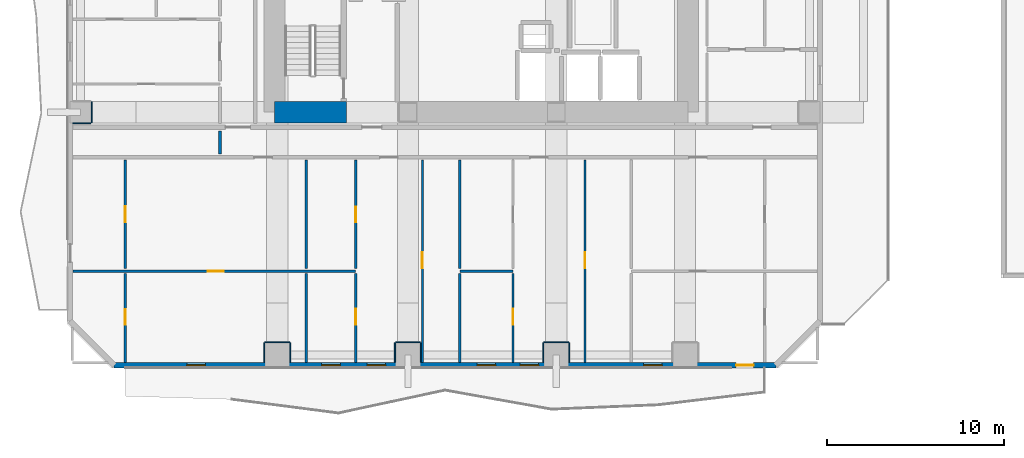
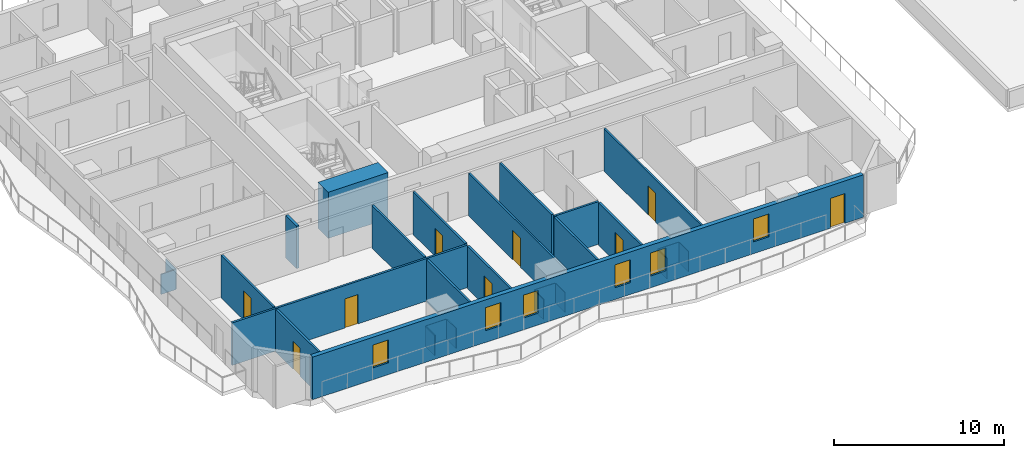
# One storey, part 3 of 13: 27 walls, 9 doors, 6 windows, 15 openings.
"""IFC4 building model written with IfcOpenShell, lengths in metres."""

import ifcopenshell
import ifcopenshell.guid

model = None  # the IFC model being written
_history = None  # IfcOwnerHistory: only IFC2X3 demands one
_inside = {}  # id of a spatial element -> (the spatial element, [elements in it])
_under = {}  # id of a project, library or spatial element -> (it, [spatial elements below it])
_declared = {}  # id of a project -> (the project, [libraries it declares])
_typed = {}  # id of a type object -> (the type object, [elements of that type])
_made_of = {}  # id of a material, layer set ... -> (it, [elements and type objects made of it])


def new_model(schema):
    """Start an empty IFC model of exactly this schema.

    Asked for "IFC4X3", IfcOpenShell would pick the latest addendum, in which some entities
    have other attributes; the version numbers below select the first issue.
    IFC2X3 requires an IfcOwnerHistory on every rooted entity: one is made here for all.
    """
    global model, _history
    if schema == "IFC4X3":
        model = ifcopenshell.file(schema_version=(4, 3, 0, 0))
    else:
        model = ifcopenshell.file(schema=schema)
    _inside.clear()
    _under.clear()
    _declared.clear()
    _typed.clear()
    _made_of.clear()
    _history = None
    if model.schema == "IFC2X3":
        org = make("IfcOrganization", Name="unknown")
        user = make(
            "IfcPersonAndOrganization",
            ThePerson=make("IfcPerson", FamilyName="unknown"),
            TheOrganization=org,
        )
        app = make(
            "IfcApplication",
            ApplicationDeveloper=org,
            Version="unknown",
            ApplicationFullName="unknown",
            ApplicationIdentifier="unknown",
        )
        _history = make(
            "IfcOwnerHistory",
            OwningUser=user,
            OwningApplication=app,
            ChangeAction="ADDED",
            CreationDate=0,
        )
    return model


def make(cls, **values):
    """One entity of the class cls with the attributes given. An attribute that is None is left unset."""
    return model.create_entity(
        cls, **{name: value for name, value in values.items() if value is not None}
    )


def rooted(cls, **values):
    """An entity with a GlobalId (a new one), such as an element, a storey or a relation."""
    return make(cls, GlobalId=ifcopenshell.guid.new(), OwnerHistory=_history, **values)


def si_unit(unit_type, name, prefix=None):
    """IfcSIUnit, for example si_unit("LENGTHUNIT", "METRE", prefix="MILLI")."""
    return make("IfcSIUnit", UnitType=unit_type, Prefix=prefix, Name=name)


def assignment(units):
    """IfcUnitAssignment: the units of a project."""
    return None if units is None else make("IfcUnitAssignment", Units=units)


def point(xyz):
    """IfcCartesianPoint."""
    return None if xyz is None else make("IfcCartesianPoint", Coordinates=xyz)


def direction(xyz):
    """IfcDirection."""
    return None if xyz is None else make("IfcDirection", DirectionRatios=xyz)


def frame(location, z_axis=None, x_axis=None):
    """IfcAxis2Placement3D, a coordinate frame: its origin and axes. An axis left out is left unset."""
    return make(
        "IfcAxis2Placement3D",
        Location=point(location),
        Axis=direction(z_axis),
        RefDirection=direction(x_axis),
    )


def frame_2d(location, x_axis=None):
    """IfcAxis2Placement2D, a coordinate frame in the plane: its origin and x axis."""
    return make(
        "IfcAxis2Placement2D", Location=point(location), RefDirection=direction(x_axis)
    )


def origin():
    """The frame at (0, 0, 0) with its axes left unset."""
    return frame((0.0, 0.0, 0.0))


def place(relative_to, where):
    """IfcLocalPlacement: puts the frame where relative to a parent placement (None: the world)."""
    return make(
        "IfcLocalPlacement", PlacementRelTo=relative_to, RelativePlacement=where
    )


def context(
    kind, dimensions, precision=None, world=None, true_north=None, identifier=None
):
    """IfcGeometricRepresentationContext, for example the 3D "Model" context."""
    return make(
        "IfcGeometricRepresentationContext",
        ContextIdentifier=identifier,
        ContextType=kind,
        CoordinateSpaceDimension=dimensions,
        Precision=precision,
        WorldCoordinateSystem=world,
        TrueNorth=true_north,
    )


def subcontext(parent, identifier, kind, view, scale=None):
    """IfcGeometricRepresentationSubContext, for example "Body" below "Model"."""
    return make(
        "IfcGeometricRepresentationSubContext",
        ContextIdentifier=identifier,
        ContextType=kind,
        ParentContext=parent,
        TargetScale=scale,
        TargetView=view,
    )


def project(units=None, contexts=None):
    """IfcProject with its units and contexts."""
    return rooted(
        "IfcProject",
        Name="project",
        RepresentationContexts=contexts,
        UnitsInContext=assignment(units),
    )


def spatial(cls, under=None, at=None, **own):
    """A site, building, storey or space (cls), placed at a placement, below another one or the project."""
    s = rooted(cls, ObjectPlacement=at, **own)
    if under is not None:
        _under.setdefault(under.id(), (under, []))[1].append(s)
    return s


def profile(cls, at=None, kind="AREA", **sizes):
    """A parametric profile (cls). Its sizes go by their IFC names, for example OverallWidth=200.0."""
    return make(cls, ProfileType=kind, Position=at, **sizes)


def rectangle(**sizes):
    """IfcRectangleProfileDef."""
    return profile("IfcRectangleProfileDef", **sizes)


def extrude(swept, where, along, depth):
    """IfcExtrudedAreaSolid: the profile swept, set in the frame where, extruded along a direction by depth."""
    return make(
        "IfcExtrudedAreaSolid",
        SweptArea=swept,
        Position=where,
        ExtrudedDirection=direction(along),
        Depth=depth,
    )


def shape(context_of_items, identifier, shape_type, items):
    """IfcShapeRepresentation: the items that make up one representation, for example the "Body"."""
    return make(
        "IfcShapeRepresentation",
        ContextOfItems=context_of_items,
        RepresentationIdentifier=identifier,
        RepresentationType=shape_type,
        Items=items,
    )


def material(Name=None, Category=None):
    """IfcMaterial."""
    return make("IfcMaterial", Name=Name, Category=Category)


def layer(
    of_material, thickness, ventilated=None, Name=None, Category=None, Priority=None
):
    """IfcMaterialLayer: one layer of a wall or slab, of a material (None: an air gap)."""
    return make(
        "IfcMaterialLayer",
        Material=of_material,
        LayerThickness=thickness,
        IsVentilated=ventilated,
        Name=Name,
        Category=Category,
        Priority=Priority,
    )


def layer_set(layers, Name=None):
    """IfcMaterialLayerSet."""
    return make("IfcMaterialLayerSet", MaterialLayers=layers, LayerSetName=Name)


def made_of(thing, what):
    """Note that an element or type object is made of a material, layer set ...; save() writes the relation."""
    if what is not None:
        _made_of.setdefault(what.id(), (what, []))[1].append(thing)
    return thing


def type_object(cls, material=None, **own):
    """A type object (cls), such as IfcWallType, which elements share."""
    return made_of(rooted(cls, **own), material)


def element(
    cls,
    number,
    at=None,
    inside=None,
    cuts=None,
    type_object=None,
    material=None,
    context=None,
    identifier="Body",
    shape_type=None,
    held_by="IfcProductDefinitionShape",
    body=None,
    shapes=None,
    **own,
):
    """One element of the class cls, such as IfcWall. Its Tag is "e" and its number.

    at: its placement. inside: the storey or other place that contains it. cuts: it is an
    opening in that element (IfcRelVoidsElement). A single representation is given by context,
    identifier, shape_type and body (its items); several are given by shapes. held_by: the class
    of the entity that holds the representations. save() writes the other relations.
    """
    e = rooted(cls, Tag="e%d" % number, ObjectPlacement=at, **own)
    if body is not None:
        shapes = [shape(context, identifier, shape_type, body)]
    if shapes is not None:
        e.Representation = make(held_by, Representations=shapes)
    if inside is not None:
        _inside.setdefault(inside.id(), (inside, []))[1].append(e)
    if cuts is not None:
        rooted(
            "IfcRelVoidsElement", RelatingBuildingElement=cuts, RelatedOpeningElement=e
        )
    if type_object is not None:
        _typed.setdefault(type_object.id(), (type_object, []))[1].append(e)
    return made_of(e, material)


def fill(opening, filler):
    """IfcRelFillsElement: the door or window that sits in an opening."""
    return rooted(
        "IfcRelFillsElement",
        RelatingOpeningElement=opening,
        RelatedBuildingElement=filler,
    )


def aggregate(whole, parts):
    """IfcRelAggregates: a whole, such as a stair, and the parts it consists of."""
    return rooted("IfcRelAggregates", RelatingObject=whole, RelatedObjects=parts)


def save(model, path):
    """Write the relations noted so far, then the file.

    IfcRelAggregates (storeys below a building ...), IfcRelContainedInSpatialStructure (elements
    in a storey), IfcRelDefinesByType, IfcRelAssociatesMaterial and IfcRelDeclares: one each for
    every whole, place, type object, material and project.
    """
    for whole, parts in _under.values():
        aggregate(whole, parts)
    for where, things in _inside.values():
        rooted(
            "IfcRelContainedInSpatialStructure",
            RelatedElements=things,
            RelatingStructure=where,
        )
    for kind, things in _typed.values():
        rooted("IfcRelDefinesByType", RelatedObjects=things, RelatingType=kind)
    for what, things in _made_of.values():
        rooted("IfcRelAssociatesMaterial", RelatedObjects=things, RelatingMaterial=what)
    for by, libraries in _declared.values():
        rooted("IfcRelDeclares", RelatingContext=by, RelatedDefinitions=libraries)
    model.write(path)


model = new_model("IFC4")

# Units and contexts
model_context = context("Model", 3, precision=1e-05, world=origin(), true_north=direction((0.0, 1.0)))
body_context = subcontext(model_context, "Body", "Model", "MODEL_VIEW")
ifc_project = project(units=[si_unit("LENGTHUNIT", "METRE"), si_unit("AREAUNIT", "SQUARE_METRE"), si_unit("VOLUMEUNIT", "CUBIC_METRE"), si_unit("PLANEANGLEUNIT", "RADIAN"), si_unit("MASSUNIT", "GRAM", prefix="KILO")], contexts=[model_context])

# Site, building, storey
site_placement = place(None, origin())
site = spatial("IfcSite", under=ifc_project, at=site_placement, CompositionType="ELEMENT")
building_placement = place(site_placement, origin())
building = spatial("IfcBuilding", under=site, at=building_placement, Name="Solanera Arch Residences", CompositionType="ELEMENT")
storey_placement = place(building_placement, frame((0.0, 0.0, 22.0)))
storey = spatial("IfcBuildingStorey", under=building, at=storey_placement, Name="L05", CompositionType="ELEMENT", Elevation=22.0)

# Walls
ifc_material_1 = material(Name="Fire-Rated Gypsum Stud Partition", Category="gypsum")
ifc_layer_1 = layer(ifc_material_1, 0.06005859375)
ifc_layer_set_1 = layer_set([ifc_layer_1], Name="Fire-Rated Gypsum Stud Partition")
wall_type_1 = type_object("IfcWallType", Name="Column Acoustic Furring Wall 60", PredefinedType="PARTITIONING", material=ifc_layer_set_1)
wall_1_placement = place(storey_placement, frame((12.699951171875, 8.98193359375, 0.0), z_axis=(0.0, 0.0, 1.0), x_axis=(1.0, 0.0, 0.0)))
element("IfcWall", 1, at=wall_1_placement, inside=storey, type_object=wall_type_1, Name="L05 Column Furring 9N", PredefinedType="PARTITIONING", context=body_context, shape_type="SweptSolid", body=[
    extrude(rectangle(XDim=1.400146484375, YDim=0.06005859375, at=frame_2d((0.7001953125, 0.0))), origin(), (0.0, 0.0, 1.0), 1.449951171875),
])
for number, where, z_axis, x_axis, name in (
    (2, (12.66796875, 7.830078125, 0.0), (0.0, 0.0, 1.0), (0.0, 1.0, 0.0), "L05 Column Furring 9W"),
    (3, (14.132080078125, 7.830078125, 0.0), (0.0, 0.0, 1.0), (0.0, 1.0, 0.0), "L05 Column Furring 9E"),
):
    element("IfcWall", number, at=place(storey_placement, frame(where, z_axis=z_axis, x_axis=x_axis)), inside=storey, type_object=wall_type_1, Name=name, PredefinedType="PARTITIONING", context=body_context, shape_type="SweptSolid", body=[
        extrude(rectangle(XDim=1.119873046875, YDim=0.06005859375, at=frame_2d((0.56005859375, 0.0))), origin(), (0.0, 0.0, 1.0), 1.449951171875),
    ])
wall_2_placement = place(storey_placement, frame((20.10009765625, 8.98193359375, 0.0), z_axis=(0.0, 0.0, 1.0), x_axis=(1.0, 0.0, 0.0)))
element("IfcWall", 4, at=wall_2_placement, inside=storey, type_object=wall_type_1, Name="L05 Column Furring 11N", PredefinedType="PARTITIONING", context=body_context, shape_type="SweptSolid", body=[
    extrude(rectangle(XDim=1.39990234375, YDim=0.06005859375, at=frame_2d((0.699951171875, 0.0))), origin(), (0.0, 0.0, 1.0), 1.449951171875),
])
for number, where, z_axis, x_axis, name in (
    (5, (20.068115234375, 7.830078125, 0.0), (0.0, 0.0, 1.0), (0.0, 1.0, 0.0), "L05 Column Furring 11W"),
    (6, (21.531982421875, 7.830078125, 0.0), (0.0, 0.0, 1.0), (0.0, 1.0, 0.0), "L05 Column Furring 11E"),
):
    element("IfcWall", number, at=place(storey_placement, frame(where, z_axis=z_axis, x_axis=x_axis)), inside=storey, type_object=wall_type_1, Name=name, PredefinedType="PARTITIONING", context=body_context, shape_type="SweptSolid", body=[
        extrude(rectangle(XDim=1.119873046875, YDim=0.06005859375, at=frame_2d((0.56005859375, 0.0))), origin(), (0.0, 0.0, 1.0), 1.449951171875),
    ])
wall_3_placement = place(storey_placement, frame((28.5, 8.98193359375, 0.0), z_axis=(0.0, 0.0, 1.0), x_axis=(1.0, 0.0, 0.0)))
element("IfcWall", 7, at=wall_3_placement, inside=storey, type_object=wall_type_1, Name="L05 Column Furring 13N", PredefinedType="PARTITIONING", context=body_context, shape_type="SweptSolid", body=[
    extrude(rectangle(XDim=1.39990234375, YDim=0.06005859375, at=frame_2d((0.699951171875, 0.0))), origin(), (0.0, 0.0, 1.0), 1.449951171875),
])
for number, where, z_axis, x_axis, name in (
    (8, (28.468017578125, 7.830078125, 0.0), (0.0, 0.0, 1.0), (0.0, 1.0, 0.0), "L05 Column Furring 13W"),
    (9, (29.931884765625, 7.830078125, 0.0), (0.0, 0.0, 1.0), (0.0, 1.0, 0.0), "L05 Column Furring 13E"),
):
    element("IfcWall", number, at=place(storey_placement, frame(where, z_axis=z_axis, x_axis=x_axis)), inside=storey, type_object=wall_type_1, Name=name, PredefinedType="PARTITIONING", context=body_context, shape_type="SweptSolid", body=[
        extrude(rectangle(XDim=1.119873046875, YDim=0.06005859375, at=frame_2d((0.56005859375, 0.0))), origin(), (0.0, 0.0, 1.0), 1.449951171875),
    ])
wall_4_placement = place(storey_placement, frame((1.830078125, 21.367919921875, 0.0), z_axis=(0.0, 0.0, 1.0), x_axis=(1.0, 0.0, 0.0)))
element("IfcWall", 10, at=wall_4_placement, inside=storey, type_object=wall_type_1, Name="L05 Column Furring 17S", PredefinedType="PARTITIONING", context=body_context, shape_type="SweptSolid", body=[
    extrude(rectangle(XDim=1.02001953125, YDim=0.06005859375, at=frame_2d((0.510009765625, 0.0))), origin(), (0.0, 0.0, 1.0), 1.449951171875),
])
wall_5_placement = place(storey_placement, frame((2.882080078125, 21.39990234375, 0.0), z_axis=(0.0, 0.0, 1.0), x_axis=(0.0, 1.0, 0.0)))
element("IfcWall", 11, at=wall_5_placement, inside=storey, type_object=wall_type_1, Name="L05 Column Furring 17E", PredefinedType="PARTITIONING", context=body_context, shape_type="SweptSolid", body=[
    extrude(rectangle(XDim=1.2001953125, YDim=0.06005859375, at=frame_2d((0.60009765625, 0.0))), origin(), (0.0, 0.0, 1.0), 1.449951171875),
])
ifc_material_2 = material(Name="Concrete C55/67 (f'c = 60 MPa)", Category="concrete")
ifc_layer_2 = layer(ifc_material_2, 1.199951171875)
ifc_layer_set_2 = layer_set([ifc_layer_2], Name="Concrete C55/67 (f'c = 60 MPa)")
wall_type_2 = type_object("IfcWallType", Name="Core Shear Wall CW-1200", PredefinedType="SHEAR", material=ifc_layer_set_2)
wall_6_placement = place(storey_placement, frame((13.239990234375, 22.0, 0.0), z_axis=(0.0, 0.0, 1.0), x_axis=(1.0, 0.0, 0.0)))
element("IfcWall", 12, at=wall_6_placement, inside=storey, type_object=wall_type_2, Name="L05 South-West Core Shear Wall", PredefinedType="SHEAR", context=body_context, shape_type="SweptSolid", body=[
    extrude(rectangle(XDim=4.080078125, YDim=1.199951171875, at=frame_2d((2.0400390625, 0.0))), origin(), (0.0, 0.0, 1.0), 3.320068359375),
])
ifc_material_3 = material(Name="Autoclaved Aerated Concrete Blockwork", Category="masonry")
ifc_layer_3 = layer(ifc_material_3, 0.179931640625)
ifc_layer_set_3 = layer_set([ifc_layer_3], Name="Autoclaved Aerated Concrete Blockwork")
wall_type_3 = type_object("IfcWallType", Name="Corridor Fire Partition 180", PredefinedType="PARTITIONING", material=ifc_layer_set_3)
wall_7_placement = place(storey_placement, frame((10.14990234375, 19.637939453125, 0.0), z_axis=(0.0, 0.0, 1.0), x_axis=(0.0, 1.0, 0.0)))
element("IfcWall", 13, at=wall_7_placement, inside=storey, type_object=wall_type_3, Name="L05 Interior Partition V8 1", PredefinedType="PARTITIONING", context=body_context, shape_type="SweptSolid", body=[
    extrude(rectangle(XDim=1.2939453125, YDim=0.179931640625, at=frame_2d((0.64697265625, 0.0))), origin(), (0.0, 0.0, 1.0), 3.06005859375),
])

# Wall, openings, door, windows
ifc_material_4 = material(Name="Precast Concrete C35/45", Category="concrete")
ifc_layer_4 = layer(ifc_material_4, 0.300048828125)
ifc_layer_set_4 = layer_set([ifc_layer_4], Name="Precast Concrete C35/45")
wall_type_4 = type_object("IfcWallType", Name="Exterior Wall Precast Masonry-Frame 300", PredefinedType="STANDARD", material=ifc_layer_set_4)
wall_8_placement = place(storey_placement, frame((41.635009765625, 7.6650390625, 0.0), z_axis=(0.0, 0.0, 1.0), x_axis=(-1.0, 0.0, 0.0)))
wall_8 = element("IfcWall", 14, at=wall_8_placement, inside=storey, type_object=wall_type_4, Name="L05 Tower Exterior Precast Masonry-Frame Wall S", PredefinedType="STANDARD", context=body_context, shape_type="SweptSolid", body=[
    extrude(rectangle(XDim=37.469970703125, YDim=0.300048828125, at=frame_2d((18.73486328125, 0.0))), origin(), (0.0, 0.0, 1.0), 3.06005859375),
])
opening_1_placement = place(wall_8_placement, frame((1.2509765625, 0.0, 0.0)))
opening_1 = element("IfcOpeningElement", 15, at=opening_1_placement, cuts=wall_8, Name="Opening DB-01", PredefinedType="OPENING", context=body_context, shape_type="SweptSolid", body=[
    extrude(rectangle(XDim=1.0, YDim=2.14990234375, at=frame_2d((0.5, 1.074951171875))), frame((0.0, 0.159912109375, 0.0), z_axis=(0.0, -1.0, 0.0), x_axis=(1.0, 0.0, 0.0)), (0.0, 0.0, 1.0), 0.32),
])
opening_2_placement = place(wall_8_placement, frame((32.31005859375, 0.0, 0.85009765625)))
opening_2 = element("IfcOpeningElement", 16, at=opening_2_placement, cuts=wall_8, Name="Opening W-07", PredefinedType="OPENING", context=body_context, shape_type="SweptSolid", body=[
    extrude(rectangle(XDim=1.050048828125, YDim=1.64990234375, at=frame_2d((0.52490234375, 0.824951171875))), frame((0.0, 0.159912109375, 0.0), z_axis=(0.0, -1.0, 0.0), x_axis=(1.0, 0.0, 0.0)), (0.0, 0.0, 1.0), 0.32),
])
opening_3_placement = place(wall_8_placement, frame((22.091064453125, 0.0, 0.85009765625)))
opening_3 = element("IfcOpeningElement", 17, at=opening_3_placement, cuts=wall_8, Name="Opening W-07", PredefinedType="OPENING", context=body_context, shape_type="SweptSolid", body=[
    extrude(rectangle(XDim=1.050048828125, YDim=1.64990234375, at=frame_2d((0.52490234375, 0.824951171875))), frame((0.0, 0.159912109375, 0.0), z_axis=(0.0, -1.0, 0.0), x_axis=(1.0, 0.0, 0.0)), (0.0, 0.0, 1.0), 0.32),
])
opening_4_placement = place(wall_8_placement, frame((24.666015625, 0.0, 0.85009765625)))
opening_4 = element("IfcOpeningElement", 18, at=opening_4_placement, cuts=wall_8, Name="Opening W-07", PredefinedType="OPENING", context=body_context, shape_type="SweptSolid", body=[
    extrude(rectangle(XDim=1.050048828125, YDim=1.64990234375, at=frame_2d((0.52490234375, 0.824951171875))), frame((0.0, 0.159912109375, 0.0), z_axis=(0.0, -1.0, 0.0), x_axis=(1.0, 0.0, 0.0)), (0.0, 0.0, 1.0), 0.32),
])
opening_5_placement = place(wall_8_placement, frame((13.43408203125, 0.0, 0.85009765625)))
opening_5 = element("IfcOpeningElement", 19, at=opening_5_placement, cuts=wall_8, Name="Opening W-07", PredefinedType="OPENING", context=body_context, shape_type="SweptSolid", body=[
    extrude(rectangle(XDim=1.050048828125, YDim=1.64990234375, at=frame_2d((0.52490234375, 0.824951171875))), frame((0.0, 0.159912109375, 0.0), z_axis=(0.0, -1.0, 0.0), x_axis=(1.0, 0.0, 0.0)), (0.0, 0.0, 1.0), 0.32),
])
opening_6_placement = place(wall_8_placement, frame((15.863037109375, 0.0, 0.85009765625)))
opening_6 = element("IfcOpeningElement", 20, at=opening_6_placement, cuts=wall_8, Name="Opening W-07", PredefinedType="OPENING", context=body_context, shape_type="SweptSolid", body=[
    extrude(rectangle(XDim=1.050048828125, YDim=1.64990234375, at=frame_2d((0.52490234375, 0.824951171875))), frame((0.0, 0.159912109375, 0.0), z_axis=(0.0, -1.0, 0.0), x_axis=(1.0, 0.0, 0.0)), (0.0, 0.0, 1.0), 0.32),
])
opening_7_placement = place(wall_8_placement, frame((6.43408203125, 0.0, 0.85009765625)))
opening_7 = element("IfcOpeningElement", 21, at=opening_7_placement, cuts=wall_8, Name="Opening W-07", PredefinedType="OPENING", context=body_context, shape_type="SweptSolid", body=[
    extrude(rectangle(XDim=1.050048828125, YDim=1.64990234375, at=frame_2d((0.52490234375, 0.824951171875))), frame((0.0, 0.159912109375, 0.0), z_axis=(0.0, -1.0, 0.0), x_axis=(1.0, 0.0, 0.0)), (0.0, 0.0, 1.0), 0.32),
])
ifc_material_5 = material(Name="Anodised Aluminium Alloy 6063-T6", Category="aluminium")
door_type_1 = type_object("IfcDoorType", Name="Glazed Balcony Swing Door DB-01", OperationType="NOTDEFINED", PredefinedType="DOOR", material=ifc_material_5)
door_1_placement = place(opening_1_placement, origin())
door_1 = element("IfcDoor", 22, at=door_1_placement, inside=storey, type_object=door_type_1, Name="DR-L05-OUT-03", OperationType="SINGLE_SWING_LEFT", OverallHeight=2.14990234375, OverallWidth=1.0, PredefinedType="DOOR", context=body_context, shape_type="SweptSolid", body=[
    extrude(rectangle(XDim=1.0, YDim=2.14990234375, at=frame_2d((0.5, 1.074951171875))), frame((0.0, 0.02490234375, 0.0), z_axis=(0.0, -1.0, 0.0), x_axis=(1.0, 0.0, 0.0)), (0.0, 0.0, 1.0), 0.050048828125),
])
fill(opening_1, door_1)
ifc_material_6 = material(Name="Double Glazed Low-E Laminated Glass", Category="glass")
window_type = type_object("IfcWindowType", Name="Punched Window W-07", PartitioningType="SINGLE_PANEL", PredefinedType="WINDOW", material=ifc_material_6)
window_1_placement = place(opening_2_placement, origin())
window_1 = element("IfcWindow", 23, at=window_1_placement, inside=storey, type_object=window_type, Name="L05 0501-LIV Punched Window", OverallHeight=1.64990234375, OverallWidth=1.050048828125, PartitioningType="SINGLE_PANEL", PredefinedType="WINDOW", context=body_context, shape_type="SweptSolid", body=[
    extrude(rectangle(XDim=1.050048828125, YDim=1.64990234375, at=frame_2d((0.52490234375, 0.824951171875))), frame((0.0, 0.030029296875, 0.0), z_axis=(0.0, -1.0, 0.0), x_axis=(1.0, 0.0, 0.0)), (0.0, 0.0, 1.0), 0.06005859375),
])
fill(opening_2, window_1)
window_2_placement = place(opening_3_placement, origin())
window_2 = element("IfcWindow", 24, at=window_2_placement, inside=storey, type_object=window_type, Name="L05 0502-LIV Punched Window", OverallHeight=1.64990234375, OverallWidth=1.050048828125, PartitioningType="SINGLE_PANEL", PredefinedType="WINDOW", context=body_context, shape_type="SweptSolid", body=[
    extrude(rectangle(XDim=1.050048828125, YDim=1.64990234375, at=frame_2d((0.52490234375, 0.824951171875))), frame((0.0, 0.030029296875, 0.0), z_axis=(0.0, -1.0, 0.0), x_axis=(1.0, 0.0, 0.0)), (0.0, 0.0, 1.0), 0.06005859375),
])
fill(opening_3, window_2)
window_3_placement = place(opening_4_placement, origin())
window_3 = element("IfcWindow", 25, at=window_3_placement, inside=storey, type_object=window_type, Name="L05 0502-BR1 Punched Window", OverallHeight=1.64990234375, OverallWidth=1.050048828125, PartitioningType="SINGLE_PANEL", PredefinedType="WINDOW", context=body_context, shape_type="SweptSolid", body=[
    extrude(rectangle(XDim=1.050048828125, YDim=1.64990234375, at=frame_2d((0.52490234375, 0.824951171875))), frame((0.0, 0.030029296875, 0.0), z_axis=(0.0, -1.0, 0.0), x_axis=(1.0, 0.0, 0.0)), (0.0, 0.0, 1.0), 0.06005859375),
])
fill(opening_4, window_3)
window_4_placement = place(opening_5_placement, origin())
window_4 = element("IfcWindow", 26, at=window_4_placement, inside=storey, type_object=window_type, Name="L05 0503-LIV Punched Window", OverallHeight=1.64990234375, OverallWidth=1.050048828125, PartitioningType="SINGLE_PANEL", PredefinedType="WINDOW", context=body_context, shape_type="SweptSolid", body=[
    extrude(rectangle(XDim=1.050048828125, YDim=1.64990234375, at=frame_2d((0.52490234375, 0.824951171875))), frame((0.0, 0.030029296875, 0.0), z_axis=(0.0, -1.0, 0.0), x_axis=(1.0, 0.0, 0.0)), (0.0, 0.0, 1.0), 0.06005859375),
])
fill(opening_5, window_4)
window_5_placement = place(opening_6_placement, origin())
window_5 = element("IfcWindow", 27, at=window_5_placement, inside=storey, type_object=window_type, Name="L05 0503-BR1 Punched Window", OverallHeight=1.64990234375, OverallWidth=1.050048828125, PartitioningType="SINGLE_PANEL", PredefinedType="WINDOW", context=body_context, shape_type="SweptSolid", body=[
    extrude(rectangle(XDim=1.050048828125, YDim=1.64990234375, at=frame_2d((0.52490234375, 0.824951171875))), frame((0.0, 0.030029296875, 0.0), z_axis=(0.0, -1.0, 0.0), x_axis=(1.0, 0.0, 0.0)), (0.0, 0.0, 1.0), 0.06005859375),
])
fill(opening_6, window_5)
window_6_placement = place(opening_7_placement, origin())
window_6 = element("IfcWindow", 28, at=window_6_placement, inside=storey, type_object=window_type, Name="L05 0504-LIV Punched Window", OverallHeight=1.64990234375, OverallWidth=1.050048828125, PartitioningType="SINGLE_PANEL", PredefinedType="WINDOW", context=body_context, shape_type="SweptSolid", body=[
    extrude(rectangle(XDim=1.050048828125, YDim=1.64990234375, at=frame_2d((0.52490234375, 0.824951171875))), frame((0.0, 0.030029296875, 0.0), z_axis=(0.0, -1.0, 0.0), x_axis=(1.0, 0.0, 0.0)), (0.0, 0.0, 1.0), 0.06005859375),
])
fill(opening_7, window_6)

# Wall, opening, door
ifc_material_7 = material(Name="Fire-Rated Gypsum Stud Partition", Category="gypsum")
ifc_layer_5 = layer(ifc_material_7, 0.1201171875)
ifc_layer_set_5 = layer_set([ifc_layer_5], Name="Fire-Rated Gypsum Stud Partition")
wall_type_5 = type_object("IfcWallType", Name="Unit Drywall Partition 120", PredefinedType="PARTITIONING", material=ifc_layer_set_5)
wall_9_placement = place(storey_placement, frame((21.6201171875, 7.826904296875, 0.0), z_axis=(0.0, 0.0, 1.0), x_axis=(0.0, 1.0, 0.0)))
wall_9 = element("IfcWall", 29, at=wall_9_placement, inside=storey, type_object=wall_type_5, Name="L05 Interior Partition V28", PredefinedType="PARTITIONING", context=body_context, shape_type="SweptSolid", body=[
    extrude(rectangle(XDim=11.465087890625, YDim=0.1201171875, at=frame_2d((5.732421875, 0.0))), origin(), (0.0, 0.0, 1.0), 3.06005859375),
])
opening_8_placement = place(wall_9_placement, frame((5.347900390625, 0.0, 0.0)))
opening_8 = element("IfcOpeningElement", 30, at=opening_8_placement, cuts=wall_9, Name="Opening DI-02", PredefinedType="OPENING", context=body_context, shape_type="SweptSolid", body=[
    extrude(rectangle(XDim=0.89990234375, YDim=2.10009765625, at=frame_2d((0.449951171875, 1.050048828125))), frame((0.0, 0.070068359375, 0.0), z_axis=(0.0, -1.0, 0.0), x_axis=(1.0, 0.0, 0.0)), (0.0, 0.0, 1.0), 0.1401),
])
ifc_material_8 = material(Name="Fire-Rated Architectural Hardwood", Category="wood")
door_type_2 = type_object("IfcDoorType", Name="Suite Room Swing Door DI-02", OperationType="NOTDEFINED", PredefinedType="DOOR", material=ifc_material_8)
door_2_placement = place(opening_8_placement, origin())
door_2 = element("IfcDoor", 31, at=door_2_placement, inside=storey, type_object=door_type_2, Name="DR-L05-IN-022", OperationType="SINGLE_SWING_LEFT", OverallHeight=2.10009765625, OverallWidth=0.89990234375, PredefinedType="DOOR", context=body_context, shape_type="SweptSolid", body=[
    extrude(rectangle(XDim=0.89990234375, YDim=2.10009765625, at=frame_2d((0.449951171875, 1.050048828125))), frame((0.0, 0.02490234375, 0.0), z_axis=(0.0, -1.0, 0.0), x_axis=(1.0, 0.0, 0.0)), (0.0, 0.0, 1.0), 0.050048828125),
])
fill(opening_8, door_2)

wall_10_placement = place(storey_placement, frame((30.830078125, 7.826904296875, 0.0), z_axis=(0.0, 0.0, 1.0), x_axis=(0.0, 1.0, 0.0)))
wall_10 = element("IfcWall", 32, at=wall_10_placement, inside=storey, type_object=wall_type_5, Name="L05 Interior Partition V29", PredefinedType="PARTITIONING", context=body_context, shape_type="SweptSolid", body=[
    extrude(rectangle(XDim=11.465087890625, YDim=0.1201171875, at=frame_2d((5.732421875, 0.0))), origin(), (0.0, 0.0, 1.0), 3.06005859375),
])
opening_9_placement = place(wall_10_placement, frame((5.347900390625, 0.0, 0.0)))
opening_9 = element("IfcOpeningElement", 33, at=opening_9_placement, cuts=wall_10, Name="Opening DI-02", PredefinedType="OPENING", context=body_context, shape_type="SweptSolid", body=[
    extrude(rectangle(XDim=0.89990234375, YDim=2.10009765625, at=frame_2d((0.449951171875, 1.050048828125))), frame((0.0, 0.070068359375, 0.0), z_axis=(0.0, -1.0, 0.0), x_axis=(1.0, 0.0, 0.0)), (0.0, 0.0, 1.0), 0.1401),
])
door_3_placement = place(opening_9_placement, origin())
door_3 = element("IfcDoor", 34, at=door_3_placement, inside=storey, type_object=door_type_2, Name="DR-L05-IN-026", OperationType="SINGLE_SWING_LEFT", OverallHeight=2.10009765625, OverallWidth=0.89990234375, PredefinedType="DOOR", context=body_context, shape_type="SweptSolid", body=[
    extrude(rectangle(XDim=0.89990234375, YDim=2.10009765625, at=frame_2d((0.449951171875, 1.050048828125))), frame((0.0, 0.02490234375, 0.0), z_axis=(0.0, -1.0, 0.0), x_axis=(1.0, 0.0, 0.0)), (0.0, 0.0, 1.0), 0.050048828125),
])
fill(opening_9, door_3)

ifc_material_9 = material(Name="Autoclaved Aerated Concrete Blockwork", Category="masonry")
ifc_layer_6 = layer(ifc_material_9, 0.139892578125)
ifc_layer_set_6 = layer_set([ifc_layer_6], Name="Autoclaved Aerated Concrete Blockwork")
wall_type_6 = type_object("IfcWallType", Name="Wet-Room Partition 140", PredefinedType="PARTITIONING", material=ifc_layer_set_6)
wall_11_placement = place(storey_placement, frame((1.826904296875, 13.0, 0.0), z_axis=(0.0, 0.0, 1.0), x_axis=(1.0, 0.0, 0.0)))
wall_11 = element("IfcWall", 35, at=wall_11_placement, inside=storey, type_object=wall_type_6, Name="L05 Interior Partition H15", PredefinedType="PARTITIONING", context=body_context, shape_type="SweptSolid", body=[
    extrude(rectangle(XDim=16.010986328125, YDim=0.139892578125, at=frame_2d((8.00537109375, 0.0))), origin(), (0.0, 0.0, 1.0), 3.06005859375),
])
opening_10_placement = place(wall_11_placement, frame((7.64794921875, 0.0, 0.0)))
opening_10 = element("IfcOpeningElement", 36, at=opening_10_placement, cuts=wall_11, Name="Opening DI-02", PredefinedType="OPENING", context=body_context, shape_type="SweptSolid", body=[
    extrude(rectangle(XDim=0.89990234375, YDim=2.10009765625, at=frame_2d((0.449951171875, 1.050048828125))), frame((0.0, 0.079833984375, 0.0), z_axis=(0.0, -1.0, 0.0), x_axis=(1.0, 0.0, 0.0)), (0.0, 0.0, 1.0), 0.1599),
])
door_4_placement = place(opening_10_placement, origin())
door_4 = element("IfcDoor", 37, at=door_4_placement, inside=storey, type_object=door_type_2, Name="DR-L05-IN-016", OperationType="SINGLE_SWING_LEFT", OverallHeight=2.10009765625, OverallWidth=0.89990234375, PredefinedType="DOOR", context=body_context, shape_type="SweptSolid", body=[
    extrude(rectangle(XDim=0.89990234375, YDim=2.10009765625, at=frame_2d((0.449951171875, 1.050048828125))), frame((0.0, 0.02490234375, 0.0), z_axis=(0.0, -1.0, 0.0), x_axis=(1.0, 0.0, 0.0)), (0.0, 0.0, 1.0), 0.050048828125),
])
fill(opening_10, door_4)

# Wall
wall_12_placement = place(storey_placement, frame((23.741943359375, 13.0, 0.0), z_axis=(0.0, 0.0, 1.0), x_axis=(1.0, 0.0, 0.0)))
element("IfcWall", 38, at=wall_12_placement, inside=storey, type_object=wall_type_6, Name="L05 Interior Partition H16", PredefinedType="PARTITIONING", context=body_context, shape_type="SweptSolid", body=[
    extrude(rectangle(XDim=3.010009765625, YDim=0.139892578125, at=frame_2d((1.5048828125, 0.0))), origin(), (0.0, 0.0, 1.0), 3.06005859375),
])

# Wall, opening, door
wall_13_placement = place(storey_placement, frame((4.800048828125, 7.826904296875, 0.0), z_axis=(0.0, 0.0, 1.0), x_axis=(0.0, 1.0, 0.0)))
wall_13 = element("IfcWall", 39, at=wall_13_placement, inside=storey, type_object=wall_type_6, Name="L05 Interior Partition V14 1", PredefinedType="PARTITIONING", context=body_context, shape_type="SweptSolid", body=[
    extrude(rectangle(XDim=5.025146484375, YDim=0.139892578125, at=frame_2d((2.5126953125, 0.0))), origin(), (0.0, 0.0, 1.0), 3.06005859375),
])
opening_11_placement = place(wall_13_placement, frame((2.14306640625, 0.0, 0.0)))
opening_11 = element("IfcOpeningElement", 40, at=opening_11_placement, cuts=wall_13, Name="Opening DI-05", PredefinedType="OPENING", context=body_context, shape_type="SweptSolid", body=[
    extrude(rectangle(XDim=0.860107421875, YDim=2.02001953125, at=frame_2d((0.43017578125, 1.010009765625))), frame((0.0, 0.079833984375, 0.0), z_axis=(0.0, -1.0, 0.0), x_axis=(1.0, 0.0, 0.0)), (0.0, 0.0, 1.0), 0.1599),
])
ifc_material_10 = material(Name="Fire-Rated Architectural Hardwood", Category="wood")
door_type_3 = type_object("IfcDoorType", Name="Bathroom Swing Door DI-05", OperationType="NOTDEFINED", PredefinedType="DOOR", material=ifc_material_10)
door_5_placement = place(opening_11_placement, origin())
door_5 = element("IfcDoor", 41, at=door_5_placement, inside=storey, type_object=door_type_3, Name="DR-L05-IN-018", OperationType="SINGLE_SWING_LEFT", OverallHeight=2.02001953125, OverallWidth=0.860107421875, PredefinedType="DOOR", context=body_context, shape_type="SweptSolid", body=[
    extrude(rectangle(XDim=0.860107421875, YDim=2.02001953125, at=frame_2d((0.43017578125, 1.010009765625))), frame((0.0, 0.02490234375, 0.0), z_axis=(0.0, -1.0, 0.0), x_axis=(1.0, 0.0, 0.0)), (0.0, 0.0, 1.0), 0.050048828125),
])
fill(opening_11, door_5)

wall_14_placement = place(storey_placement, frame((4.800048828125, 13.14794921875, 0.0), z_axis=(0.0, 0.0, 1.0), x_axis=(0.0, 1.0, 0.0)))
wall_14 = element("IfcWall", 42, at=wall_14_placement, inside=storey, type_object=wall_type_6, Name="L05 Interior Partition V14 2", PredefinedType="PARTITIONING", context=body_context, shape_type="SweptSolid", body=[
    extrude(rectangle(XDim=6.134033203125, YDim=0.139892578125, at=frame_2d((3.06689453125, 0.0))), origin(), (0.0, 0.0, 1.0), 3.06005859375),
])
opening_12_placement = place(wall_14_placement, frame((2.626953125, 0.0, 0.0)))
opening_12 = element("IfcOpeningElement", 43, at=opening_12_placement, cuts=wall_14, Name="Opening DI-02", PredefinedType="OPENING", context=body_context, shape_type="SweptSolid", body=[
    extrude(rectangle(XDim=0.89990234375, YDim=2.10009765625, at=frame_2d((0.449951171875, 1.050048828125))), frame((0.0, 0.079833984375, 0.0), z_axis=(0.0, -1.0, 0.0), x_axis=(1.0, 0.0, 0.0)), (0.0, 0.0, 1.0), 0.1599),
])
door_6_placement = place(opening_12_placement, origin())
door_6 = element("IfcDoor", 44, at=door_6_placement, inside=storey, type_object=door_type_2, Name="DR-L05-IN-017", OperationType="SINGLE_SWING_RIGHT", OverallHeight=2.10009765625, OverallWidth=0.89990234375, PredefinedType="DOOR", context=body_context, shape_type="SweptSolid", body=[
    extrude(rectangle(XDim=0.89990234375, YDim=2.10009765625, at=frame_2d((0.449951171875, 1.050048828125))), frame((0.0, 0.02490234375, 0.0), z_axis=(0.0, -1.0, 0.0), x_axis=(1.0, 0.0, 0.0)), (0.0, 0.0, 1.0), 0.050048828125),
])
fill(opening_12, door_6)

# Walls
wall_15_placement = place(storey_placement, frame((15.050048828125, 7.826904296875, 0.0), z_axis=(0.0, 0.0, 1.0), x_axis=(0.0, 1.0, 0.0)))
element("IfcWall", 45, at=wall_15_placement, inside=storey, type_object=wall_type_6, Name="L05 Interior Partition V18 1", PredefinedType="PARTITIONING", context=body_context, shape_type="SweptSolid", body=[
    extrude(rectangle(XDim=5.025146484375, YDim=0.139892578125, at=frame_2d((2.5126953125, 0.0))), origin(), (0.0, 0.0, 1.0), 3.06005859375),
])
wall_16_placement = place(storey_placement, frame((15.050048828125, 13.14794921875, 0.0), z_axis=(0.0, 0.0, 1.0), x_axis=(0.0, 1.0, 0.0)))
element("IfcWall", 46, at=wall_16_placement, inside=storey, type_object=wall_type_6, Name="L05 Interior Partition V18 2", PredefinedType="PARTITIONING", context=body_context, shape_type="SweptSolid", body=[
    extrude(rectangle(XDim=6.134033203125, YDim=0.139892578125, at=frame_2d((3.06689453125, 0.0))), origin(), (0.0, 0.0, 1.0), 3.06005859375),
])

# Wall, opening, door
wall_17_placement = place(storey_placement, frame((17.837890625, 7.826904296875, 0.0), z_axis=(0.0, 0.0, 1.0), x_axis=(0.0, 1.0, 0.0)))
wall_17 = element("IfcWall", 47, at=wall_17_placement, inside=storey, type_object=wall_type_6, Name="L05 Interior Partition V19 1", PredefinedType="PARTITIONING", context=body_context, shape_type="SweptSolid", body=[
    extrude(rectangle(XDim=5.025146484375, YDim=0.139892578125, at=frame_2d((2.5126953125, 0.0))), origin(), (0.0, 0.0, 1.0), 3.06005859375),
])
opening_13_placement = place(wall_17_placement, frame((2.135986328125, 0.0, 0.0)))
opening_13 = element("IfcOpeningElement", 48, at=opening_13_placement, cuts=wall_17, Name="Opening DI-03", PredefinedType="OPENING", context=body_context, shape_type="SweptSolid", body=[
    extrude(rectangle(XDim=0.89990234375, YDim=2.10009765625, at=frame_2d((0.449951171875, 1.050048828125))), frame((0.0, 0.079833984375, 0.0), z_axis=(0.0, -1.0, 0.0), x_axis=(1.0, 0.0, 0.0)), (0.0, 0.0, 1.0), 0.1599),
])
ifc_material_11 = material(Name="Fire-Rated Architectural Hardwood", Category="wood")
door_type_4 = type_object("IfcDoorType", Name="Bedroom Swing Door DI-03", OperationType="NOTDEFINED", PredefinedType="DOOR", material=ifc_material_11)
door_7_placement = place(opening_13_placement, origin())
door_7 = element("IfcDoor", 49, at=door_7_placement, inside=storey, type_object=door_type_4, Name="DR-L05-IN-021", OperationType="SINGLE_SWING_RIGHT", OverallHeight=2.10009765625, OverallWidth=0.89990234375, PredefinedType="DOOR", context=body_context, shape_type="SweptSolid", body=[
    extrude(rectangle(XDim=0.89990234375, YDim=2.10009765625, at=frame_2d((0.449951171875, 1.050048828125))), frame((0.0, 0.02490234375, 0.0), z_axis=(0.0, -1.0, 0.0), x_axis=(1.0, 0.0, 0.0)), (0.0, 0.0, 1.0), 0.050048828125),
])
fill(opening_13, door_7)

wall_18_placement = place(storey_placement, frame((17.837890625, 13.14794921875, 0.0), z_axis=(0.0, 0.0, 1.0), x_axis=(0.0, 1.0, 0.0)))
wall_18 = element("IfcWall", 50, at=wall_18_placement, inside=storey, type_object=wall_type_6, Name="L05 Interior Partition V19 2", PredefinedType="PARTITIONING", context=body_context, shape_type="SweptSolid", body=[
    extrude(rectangle(XDim=6.134033203125, YDim=0.139892578125, at=frame_2d((3.06689453125, 0.0))), origin(), (0.0, 0.0, 1.0), 3.06005859375),
])
opening_14_placement = place(wall_18_placement, frame((2.634033203125, 0.0, 0.0)))
opening_14 = element("IfcOpeningElement", 51, at=opening_14_placement, cuts=wall_18, Name="Opening DI-05", PredefinedType="OPENING", context=body_context, shape_type="SweptSolid", body=[
    extrude(rectangle(XDim=0.860107421875, YDim=2.02001953125, at=frame_2d((0.43017578125, 1.010009765625))), frame((0.0, 0.079833984375, 0.0), z_axis=(0.0, -1.0, 0.0), x_axis=(1.0, 0.0, 0.0)), (0.0, 0.0, 1.0), 0.1599),
])
door_8_placement = place(opening_14_placement, origin())
door_8 = element("IfcDoor", 52, at=door_8_placement, inside=storey, type_object=door_type_3, Name="DR-L05-IN-020", OperationType="SINGLE_SWING_LEFT", OverallHeight=2.02001953125, OverallWidth=0.860107421875, PredefinedType="DOOR", context=body_context, shape_type="SweptSolid", body=[
    extrude(rectangle(XDim=0.860107421875, YDim=2.02001953125, at=frame_2d((0.43017578125, 1.010009765625))), frame((0.0, 0.02490234375, 0.0), z_axis=(0.0, -1.0, 0.0), x_axis=(1.0, 0.0, 0.0)), (0.0, 0.0, 1.0), 0.050048828125),
])
fill(opening_14, door_8)

# Walls
wall_19_placement = place(storey_placement, frame((23.741943359375, 7.826904296875, 0.0), z_axis=(0.0, 0.0, 1.0), x_axis=(0.0, 1.0, 0.0)))
element("IfcWall", 53, at=wall_19_placement, inside=storey, type_object=wall_type_6, Name="L05 Interior Partition V20 1", PredefinedType="PARTITIONING", context=body_context, shape_type="SweptSolid", body=[
    extrude(rectangle(XDim=5.025146484375, YDim=0.139892578125, at=frame_2d((2.5126953125, 0.0))), origin(), (0.0, 0.0, 1.0), 3.06005859375),
])
wall_20_placement = place(storey_placement, frame((23.741943359375, 13.14794921875, 0.0), z_axis=(0.0, 0.0, 1.0), x_axis=(0.0, 1.0, 0.0)))
element("IfcWall", 54, at=wall_20_placement, inside=storey, type_object=wall_type_6, Name="L05 Interior Partition V20 2", PredefinedType="PARTITIONING", context=body_context, shape_type="SweptSolid", body=[
    extrude(rectangle(XDim=6.134033203125, YDim=0.139892578125, at=frame_2d((3.06689453125, 0.0))), origin(), (0.0, 0.0, 1.0), 3.06005859375),
])

# Wall, opening, door
wall_21_placement = place(storey_placement, frame((26.751953125, 7.826904296875, 0.0), z_axis=(0.0, 0.0, 1.0), x_axis=(0.0, 1.0, 0.0)))
wall_21 = element("IfcWall", 55, at=wall_21_placement, inside=storey, type_object=wall_type_6, Name="L05 Interior Partition V22 1", PredefinedType="PARTITIONING", context=body_context, shape_type="SweptSolid", body=[
    extrude(rectangle(XDim=5.025146484375, YDim=0.139892578125, at=frame_2d((2.5126953125, 0.0))), origin(), (0.0, 0.0, 1.0), 3.06005859375),
])
opening_15_placement = place(wall_21_placement, frame((2.135986328125, 0.0, 0.0)))
opening_15 = element("IfcOpeningElement", 56, at=opening_15_placement, cuts=wall_21, Name="Opening DI-03", PredefinedType="OPENING", context=body_context, shape_type="SweptSolid", body=[
    extrude(rectangle(XDim=0.89990234375, YDim=2.10009765625, at=frame_2d((0.449951171875, 1.050048828125))), frame((0.0, 0.079833984375, 0.0), z_axis=(0.0, -1.0, 0.0), x_axis=(1.0, 0.0, 0.0)), (0.0, 0.0, 1.0), 0.1599),
])
door_9_placement = place(opening_15_placement, origin())
door_9 = element("IfcDoor", 57, at=door_9_placement, inside=storey, type_object=door_type_4, Name="DR-L05-IN-025", OperationType="SINGLE_SWING_RIGHT", OverallHeight=2.10009765625, OverallWidth=0.89990234375, PredefinedType="DOOR", context=body_context, shape_type="SweptSolid", body=[
    extrude(rectangle(XDim=0.89990234375, YDim=2.10009765625, at=frame_2d((0.449951171875, 1.050048828125))), frame((0.0, 0.02490234375, 0.0), z_axis=(0.0, -1.0, 0.0), x_axis=(1.0, 0.0, 0.0)), (0.0, 0.0, 1.0), 0.050048828125),
])
fill(opening_15, door_9)

save(model, "model.ifc")
